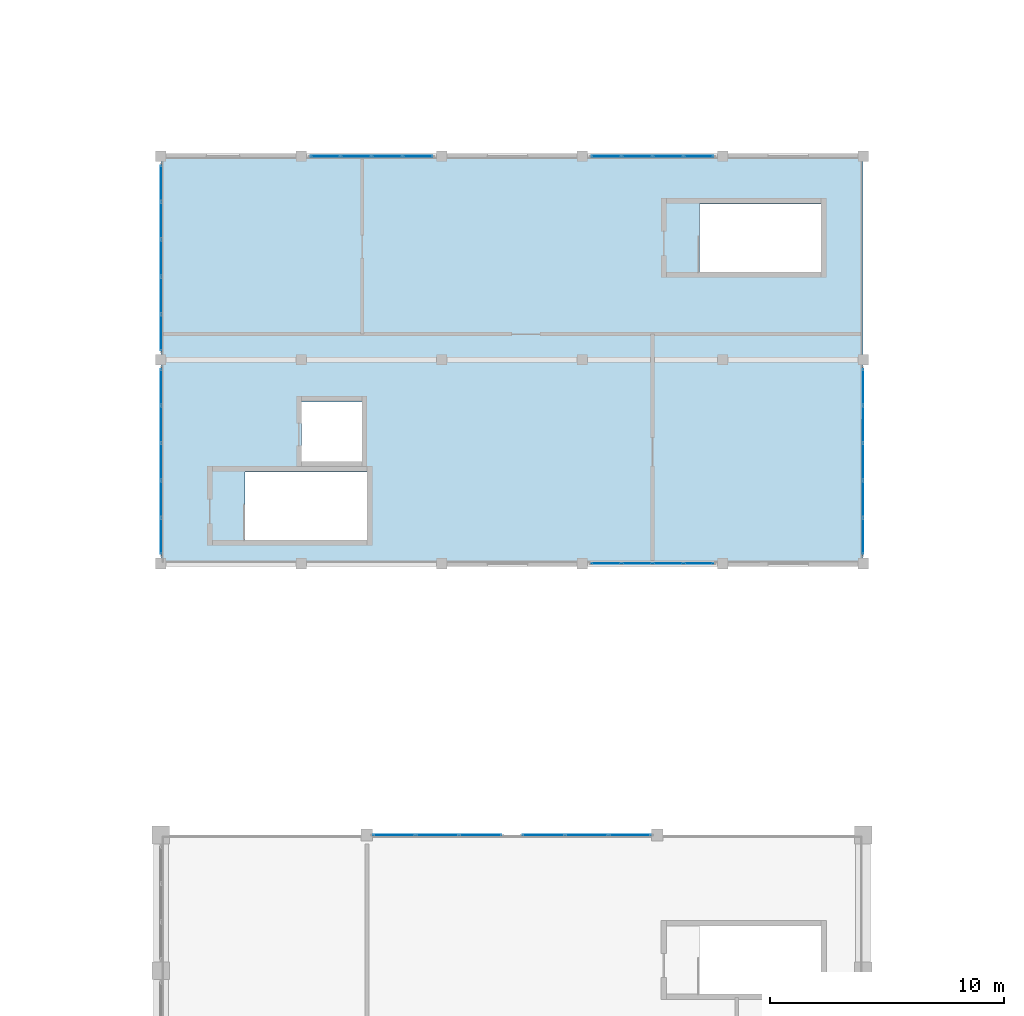
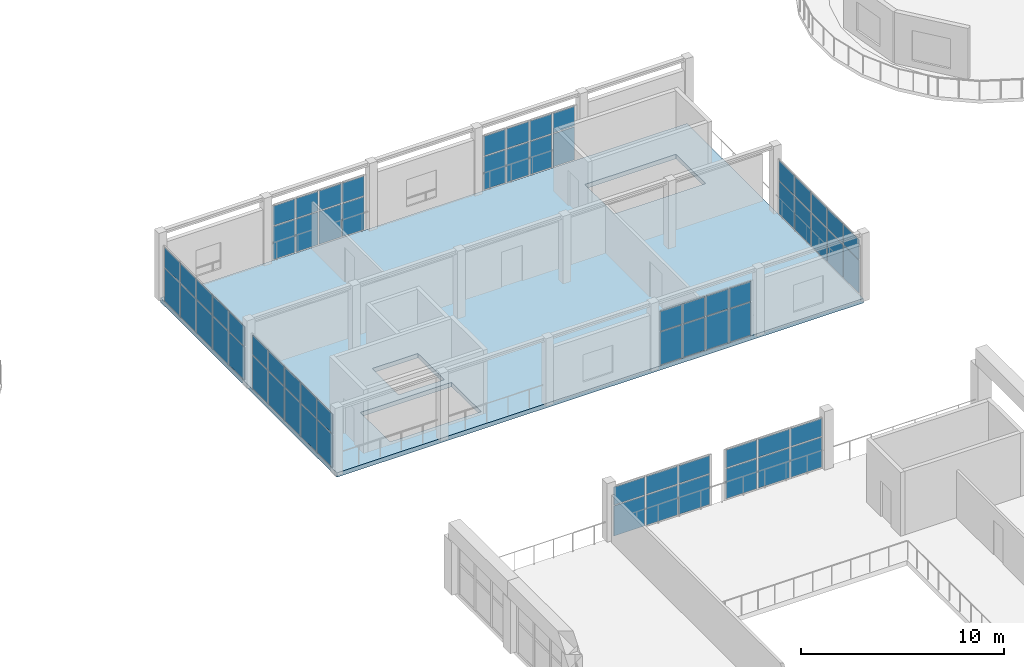
# One storey, part 74 of 128: 66 plates, 1 slab, 8 elements without a shape of their own.
"""IFC4 building model written with IfcOpenShell, lengths in metres."""

from ifc_helpers import new_model, si_unit, direction, frame, origin, origin_2d, place, context, subcontext, project, spatial, polyline, rectangle, outline, extrude, material, layer, layer_set, type_object, element, aggregate, save


model = new_model("IFC4")

# Units and contexts
model_context = context("Model", 3, precision=1e-05, world=origin(), true_north=direction((0.0, 1.0)))
body_context = subcontext(model_context, "Body", "Model", "MODEL_VIEW")
ifc_project = project(units=[si_unit("LENGTHUNIT", "METRE"), si_unit("AREAUNIT", "SQUARE_METRE"), si_unit("VOLUMEUNIT", "CUBIC_METRE"), si_unit("PLANEANGLEUNIT", "RADIAN"), si_unit("MASSUNIT", "GRAM", prefix="KILO")], contexts=[model_context])

# Site, building, storey
site_placement = place(None, origin())
site = spatial("IfcSite", under=ifc_project, at=site_placement, CompositionType="ELEMENT")
building_placement = place(site_placement, origin())
building = spatial("IfcBuilding", under=site, at=building_placement, Name="Tanwirah Colonnade Gardens", CompositionType="ELEMENT")
storey_placement = place(building_placement, frame((0.0, 0.0, 4.760009765625)))
storey = spatial("IfcBuildingStorey", under=building, at=storey_placement, Name="L01", CompositionType="ELEMENT", Elevation=4.760009765625)

# Curtain wall, plates
ifc_material_1 = material(Name="Bronze-anodised aluminium and solar-control low-E glass", Category="aluminium")
curtain_wall_type_1 = type_object("IfcCurtainWallType", Name="CW-HALL", PredefinedType="NOTDEFINED", material=ifc_material_1)
curtain_wall_1_placement = place(storey_placement, origin())
curtain_wall_1 = element("IfcCurtainWall", 1, at=curtain_wall_1_placement, inside=storey, type_object=curtain_wall_type_1, Name="Curtain Wall CW-HALL-L01-N-1", PredefinedType="NOTDEFINED")
ifc_material_2 = material(Name="Solar-control low-E double glazing", Category="glass")
ifc_layer_1 = layer(ifc_material_2, 0.028076171875)
ifc_layer_set_1 = layer_set([ifc_layer_1], Name="Solar-control low-E double glazing")
plate_type = type_object("IfcPlateType", Name="CWP-GLZ28", PredefinedType="CURTAIN_PANEL", material=ifc_layer_set_1)
plate_1_placement = place(storey_placement, frame((87.965087890625, 80.39990234375, 0.06005859375), z_axis=(0.0, 0.0, 1.0), x_axis=(1.0, 0.0, 0.0)))
plate_1 = element("IfcPlate", 2, at=plate_1_placement, type_object=plate_type, Name="CW-HALL panel 1.1", PredefinedType="CURTAIN_PANEL", context=body_context, shape_type="SweptSolid", body=[
    extrude(rectangle(XDim=1.77001953125, YDim=0.028076171875, at=origin_2d()), origin(), (0.0, 0.0, 1.0), 1.80712890625),
])
plate_2_placement = place(storey_placement, frame((87.965087890625, 80.39990234375, 1.92724609375), z_axis=(0.0, 0.0, 1.0), x_axis=(1.0, 0.0, 0.0)))
plate_2 = element("IfcPlate", 3, at=plate_2_placement, type_object=plate_type, Name="CW-HALL panel 1.2", PredefinedType="CURTAIN_PANEL", context=body_context, shape_type="SweptSolid", body=[
    extrude(rectangle(XDim=1.77001953125, YDim=0.028076171875, at=origin_2d()), origin(), (0.0, 0.0, 1.0), 1.07275390625),
])
plate_3_placement = place(storey_placement, frame((89.81005859375, 80.39990234375, 0.06005859375), z_axis=(0.0, 0.0, 1.0), x_axis=(1.0, 0.0, 0.0)))
plate_3 = element("IfcPlate", 4, at=plate_3_placement, type_object=plate_type, Name="CW-HALL panel 2.1", PredefinedType="CURTAIN_PANEL", context=body_context, shape_type="SweptSolid", body=[
    extrude(rectangle(XDim=1.800048828125, YDim=0.028076171875, at=origin_2d()), origin(), (0.0, 0.0, 1.0), 1.80712890625),
])
plate_4_placement = place(storey_placement, frame((89.81005859375, 80.39990234375, 1.92724609375), z_axis=(0.0, 0.0, 1.0), x_axis=(1.0, 0.0, 0.0)))
plate_4 = element("IfcPlate", 5, at=plate_4_placement, type_object=plate_type, Name="CW-HALL panel 2.2", PredefinedType="CURTAIN_PANEL", context=body_context, shape_type="SweptSolid", body=[
    extrude(rectangle(XDim=1.800048828125, YDim=0.028076171875, at=origin_2d()), origin(), (0.0, 0.0, 1.0), 1.07275390625),
])
plate_5_placement = place(storey_placement, frame((91.655029296875, 80.39990234375, 0.06005859375), z_axis=(0.0, 0.0, 1.0), x_axis=(1.0, 0.0, 0.0)))
plate_5 = element("IfcPlate", 6, at=plate_5_placement, type_object=plate_type, Name="CW-HALL panel 3.1", PredefinedType="CURTAIN_PANEL", context=body_context, shape_type="SweptSolid", body=[
    extrude(rectangle(XDim=1.77001953125, YDim=0.028076171875, at=origin_2d()), origin(), (0.0, 0.0, 1.0), 1.80712890625),
])
plate_6_placement = place(storey_placement, frame((91.655029296875, 80.39990234375, 1.92724609375), z_axis=(0.0, 0.0, 1.0), x_axis=(1.0, 0.0, 0.0)))
plate_6 = element("IfcPlate", 7, at=plate_6_placement, type_object=plate_type, Name="CW-HALL panel 3.2", PredefinedType="CURTAIN_PANEL", context=body_context, shape_type="SweptSolid", body=[
    extrude(rectangle(XDim=1.77001953125, YDim=0.028076171875, at=origin_2d()), origin(), (0.0, 0.0, 1.0), 1.07275390625),
])
aggregate(curtain_wall_1, [plate_1, plate_2, plate_3, plate_4, plate_5, plate_6])

curtain_wall_2_placement = place(storey_placement, origin())
curtain_wall_2 = element("IfcCurtainWall", 8, at=curtain_wall_2_placement, inside=storey, type_object=curtain_wall_type_1, Name="Curtain Wall CW-HALL-L01-N-2", PredefinedType="NOTDEFINED")
plate_7_placement = place(storey_placement, frame((94.344970703125, 80.39990234375, 0.06005859375), z_axis=(0.0, 0.0, 1.0), x_axis=(1.0, 0.0, 0.0)))
plate_7 = element("IfcPlate", 9, at=plate_7_placement, type_object=plate_type, Name="CW-HALL panel 1.1", PredefinedType="CURTAIN_PANEL", context=body_context, shape_type="SweptSolid", body=[
    extrude(rectangle(XDim=1.77001953125, YDim=0.028076171875, at=origin_2d()), origin(), (0.0, 0.0, 1.0), 1.80712890625),
])
plate_8_placement = place(storey_placement, frame((94.344970703125, 80.39990234375, 1.92724609375), z_axis=(0.0, 0.0, 1.0), x_axis=(1.0, 0.0, 0.0)))
plate_8 = element("IfcPlate", 10, at=plate_8_placement, type_object=plate_type, Name="CW-HALL panel 1.2", PredefinedType="CURTAIN_PANEL", context=body_context, shape_type="SweptSolid", body=[
    extrude(rectangle(XDim=1.77001953125, YDim=0.028076171875, at=origin_2d()), origin(), (0.0, 0.0, 1.0), 1.07275390625),
])
plate_9_placement = place(storey_placement, frame((96.18994140625, 80.39990234375, 0.06005859375), z_axis=(0.0, 0.0, 1.0), x_axis=(1.0, 0.0, 0.0)))
plate_9 = element("IfcPlate", 11, at=plate_9_placement, type_object=plate_type, Name="CW-HALL panel 2.1", PredefinedType="CURTAIN_PANEL", context=body_context, shape_type="SweptSolid", body=[
    extrude(rectangle(XDim=1.800048828125, YDim=0.028076171875, at=origin_2d()), origin(), (0.0, 0.0, 1.0), 1.80712890625),
])
plate_10_placement = place(storey_placement, frame((96.18994140625, 80.39990234375, 1.92724609375), z_axis=(0.0, 0.0, 1.0), x_axis=(1.0, 0.0, 0.0)))
plate_10 = element("IfcPlate", 12, at=plate_10_placement, type_object=plate_type, Name="CW-HALL panel 2.2", PredefinedType="CURTAIN_PANEL", context=body_context, shape_type="SweptSolid", body=[
    extrude(rectangle(XDim=1.800048828125, YDim=0.028076171875, at=origin_2d()), origin(), (0.0, 0.0, 1.0), 1.07275390625),
])
plate_11_placement = place(storey_placement, frame((98.034912109375, 80.39990234375, 0.06005859375), z_axis=(0.0, 0.0, 1.0), x_axis=(1.0, 0.0, 0.0)))
plate_11 = element("IfcPlate", 13, at=plate_11_placement, type_object=plate_type, Name="CW-HALL panel 3.1", PredefinedType="CURTAIN_PANEL", context=body_context, shape_type="SweptSolid", body=[
    extrude(rectangle(XDim=1.77001953125, YDim=0.028076171875, at=origin_2d()), origin(), (0.0, 0.0, 1.0), 1.80712890625),
])
plate_12_placement = place(storey_placement, frame((98.034912109375, 80.39990234375, 1.92724609375), z_axis=(0.0, 0.0, 1.0), x_axis=(1.0, 0.0, 0.0)))
plate_12 = element("IfcPlate", 14, at=plate_12_placement, type_object=plate_type, Name="CW-HALL panel 3.2", PredefinedType="CURTAIN_PANEL", context=body_context, shape_type="SweptSolid", body=[
    extrude(rectangle(XDim=1.77001953125, YDim=0.028076171875, at=origin_2d()), origin(), (0.0, 0.0, 1.0), 1.07275390625),
])
aggregate(curtain_wall_2, [plate_7, plate_8, plate_9, plate_10, plate_11, plate_12])

curtain_wall_type_2 = type_object("IfcCurtainWallType", Name="CW-NUR", PredefinedType="NOTDEFINED", material=ifc_material_1)
curtain_wall_3_placement = place(storey_placement, origin())
curtain_wall_3 = element("IfcCurtainWall", 15, at=curtain_wall_3_placement, inside=storey, type_object=curtain_wall_type_2, Name="Curtain Wall CW-NUR-L01-S-3", PredefinedType="NOTDEFINED")
plate_13_placement = place(storey_placement, frame((97.027587890625, 92.0, 0.06005859375), z_axis=(0.0, 0.0, 1.0), x_axis=(1.0, 0.0, 0.0)))
plate_13 = element("IfcPlate", 16, at=plate_13_placement, type_object=plate_type, Name="CW-NUR panel 1.1", PredefinedType="CURTAIN_PANEL", context=body_context, shape_type="SweptSolid", body=[
    extrude(rectangle(XDim=1.235107421875, YDim=0.028076171875, at=origin_2d()), origin(), (0.0, 0.0, 1.0), 1.980712890625),
])
plate_14_placement = place(storey_placement, frame((97.027587890625, 92.0, 2.100830078125), z_axis=(0.0, 0.0, 1.0), x_axis=(1.0, 0.0, 0.0)))
plate_14 = element("IfcPlate", 17, at=plate_14_placement, type_object=plate_type, Name="CW-NUR panel 1.2", PredefinedType="CURTAIN_PANEL", context=body_context, shape_type="SweptSolid", body=[
    extrude(rectangle(XDim=1.235107421875, YDim=0.028076171875, at=origin_2d()), origin(), (0.0, 0.0, 1.0), 1.17919921875),
])
plate_15_placement = place(storey_placement, frame((98.33740234375, 92.0, 0.06005859375), z_axis=(0.0, 0.0, 1.0), x_axis=(1.0, 0.0, 0.0)))
plate_15 = element("IfcPlate", 18, at=plate_15_placement, type_object=plate_type, Name="CW-NUR panel 2.1", PredefinedType="CURTAIN_PANEL", context=body_context, shape_type="SweptSolid", body=[
    extrude(rectangle(XDim=1.264892578125, YDim=0.028076171875, at=origin_2d()), origin(), (0.0, 0.0, 1.0), 1.980712890625),
])
plate_16_placement = place(storey_placement, frame((98.33740234375, 92.0, 2.100830078125), z_axis=(0.0, 0.0, 1.0), x_axis=(1.0, 0.0, 0.0)))
plate_16 = element("IfcPlate", 19, at=plate_16_placement, type_object=plate_type, Name="CW-NUR panel 2.2", PredefinedType="CURTAIN_PANEL", context=body_context, shape_type="SweptSolid", body=[
    extrude(rectangle(XDim=1.264892578125, YDim=0.028076171875, at=origin_2d()), origin(), (0.0, 0.0, 1.0), 1.17919921875),
])
plate_17_placement = place(storey_placement, frame((99.66259765625, 92.0, 0.06005859375), z_axis=(0.0, 0.0, 1.0), x_axis=(1.0, 0.0, 0.0)))
plate_17 = element("IfcPlate", 20, at=plate_17_placement, type_object=plate_type, Name="CW-NUR panel 3.1", PredefinedType="CURTAIN_PANEL", context=body_context, shape_type="SweptSolid", body=[
    extrude(rectangle(XDim=1.264892578125, YDim=0.028076171875, at=origin_2d()), origin(), (0.0, 0.0, 1.0), 1.980712890625),
])
plate_18_placement = place(storey_placement, frame((99.66259765625, 92.0, 2.100830078125), z_axis=(0.0, 0.0, 1.0), x_axis=(1.0, 0.0, 0.0)))
plate_18 = element("IfcPlate", 21, at=plate_18_placement, type_object=plate_type, Name="CW-NUR panel 3.2", PredefinedType="CURTAIN_PANEL", context=body_context, shape_type="SweptSolid", body=[
    extrude(rectangle(XDim=1.264892578125, YDim=0.028076171875, at=origin_2d()), origin(), (0.0, 0.0, 1.0), 1.17919921875),
])
plate_19_placement = place(storey_placement, frame((100.972412109375, 92.0, 0.06005859375), z_axis=(0.0, 0.0, 1.0), x_axis=(1.0, 0.0, 0.0)))
plate_19 = element("IfcPlate", 22, at=plate_19_placement, type_object=plate_type, Name="CW-NUR panel 4.1", PredefinedType="CURTAIN_PANEL", context=body_context, shape_type="SweptSolid", body=[
    extrude(rectangle(XDim=1.235107421875, YDim=0.028076171875, at=origin_2d()), origin(), (0.0, 0.0, 1.0), 1.980712890625),
])
plate_20_placement = place(storey_placement, frame((100.972412109375, 92.0, 2.100830078125), z_axis=(0.0, 0.0, 1.0), x_axis=(1.0, 0.0, 0.0)))
plate_20 = element("IfcPlate", 23, at=plate_20_placement, type_object=plate_type, Name="CW-NUR panel 4.2", PredefinedType="CURTAIN_PANEL", context=body_context, shape_type="SweptSolid", body=[
    extrude(rectangle(XDim=1.235107421875, YDim=0.028076171875, at=origin_2d()), origin(), (0.0, 0.0, 1.0), 1.17919921875),
])
aggregate(curtain_wall_3, [plate_13, plate_14, plate_15, plate_16, plate_17, plate_18, plate_19, plate_20])

curtain_wall_4_placement = place(storey_placement, origin())
curtain_wall_4 = element("IfcCurtainWall", 24, at=curtain_wall_4_placement, inside=storey, type_object=curtain_wall_type_2, Name="Curtain Wall CW-NUR-L01-N-1", PredefinedType="NOTDEFINED")
plate_21_placement = place(storey_placement, frame((85.027587890625, 109.39990234375, 0.06005859375), z_axis=(0.0, 0.0, 1.0), x_axis=(1.0, 0.0, 0.0)))
plate_21 = element("IfcPlate", 25, at=plate_21_placement, type_object=plate_type, Name="CW-NUR panel 1.1", PredefinedType="CURTAIN_PANEL", context=body_context, shape_type="SweptSolid", body=[
    extrude(rectangle(XDim=1.235107421875, YDim=0.028076171875, at=origin_2d()), origin(), (0.0, 0.0, 1.0), 1.980712890625),
])
plate_22_placement = place(storey_placement, frame((85.027587890625, 109.39990234375, 2.100830078125), z_axis=(0.0, 0.0, 1.0), x_axis=(1.0, 0.0, 0.0)))
plate_22 = element("IfcPlate", 26, at=plate_22_placement, type_object=plate_type, Name="CW-NUR panel 1.2", PredefinedType="CURTAIN_PANEL", context=body_context, shape_type="SweptSolid", body=[
    extrude(rectangle(XDim=1.235107421875, YDim=0.028076171875, at=origin_2d()), origin(), (0.0, 0.0, 1.0), 1.17919921875),
])
plate_23_placement = place(storey_placement, frame((86.33740234375, 109.39990234375, 0.06005859375), z_axis=(0.0, 0.0, 1.0), x_axis=(1.0, 0.0, 0.0)))
plate_23 = element("IfcPlate", 27, at=plate_23_placement, type_object=plate_type, Name="CW-NUR panel 2.1", PredefinedType="CURTAIN_PANEL", context=body_context, shape_type="SweptSolid", body=[
    extrude(rectangle(XDim=1.264892578125, YDim=0.028076171875, at=origin_2d()), origin(), (0.0, 0.0, 1.0), 1.980712890625),
])
plate_24_placement = place(storey_placement, frame((86.33740234375, 109.39990234375, 2.100830078125), z_axis=(0.0, 0.0, 1.0), x_axis=(1.0, 0.0, 0.0)))
plate_24 = element("IfcPlate", 28, at=plate_24_placement, type_object=plate_type, Name="CW-NUR panel 2.2", PredefinedType="CURTAIN_PANEL", context=body_context, shape_type="SweptSolid", body=[
    extrude(rectangle(XDim=1.264892578125, YDim=0.028076171875, at=origin_2d()), origin(), (0.0, 0.0, 1.0), 1.17919921875),
])
plate_25_placement = place(storey_placement, frame((87.66259765625, 109.39990234375, 0.06005859375), z_axis=(0.0, 0.0, 1.0), x_axis=(1.0, 0.0, 0.0)))
plate_25 = element("IfcPlate", 29, at=plate_25_placement, type_object=plate_type, Name="CW-NUR panel 3.1", PredefinedType="CURTAIN_PANEL", context=body_context, shape_type="SweptSolid", body=[
    extrude(rectangle(XDim=1.264892578125, YDim=0.028076171875, at=origin_2d()), origin(), (0.0, 0.0, 1.0), 1.980712890625),
])
plate_26_placement = place(storey_placement, frame((87.66259765625, 109.39990234375, 2.100830078125), z_axis=(0.0, 0.0, 1.0), x_axis=(1.0, 0.0, 0.0)))
plate_26 = element("IfcPlate", 30, at=plate_26_placement, type_object=plate_type, Name="CW-NUR panel 3.2", PredefinedType="CURTAIN_PANEL", context=body_context, shape_type="SweptSolid", body=[
    extrude(rectangle(XDim=1.264892578125, YDim=0.028076171875, at=origin_2d()), origin(), (0.0, 0.0, 1.0), 1.17919921875),
])
plate_27_placement = place(storey_placement, frame((88.972412109375, 109.39990234375, 0.06005859375), z_axis=(0.0, 0.0, 1.0), x_axis=(1.0, 0.0, 0.0)))
plate_27 = element("IfcPlate", 31, at=plate_27_placement, type_object=plate_type, Name="CW-NUR panel 4.1", PredefinedType="CURTAIN_PANEL", context=body_context, shape_type="SweptSolid", body=[
    extrude(rectangle(XDim=1.235107421875, YDim=0.028076171875, at=origin_2d()), origin(), (0.0, 0.0, 1.0), 1.980712890625),
])
plate_28_placement = place(storey_placement, frame((88.972412109375, 109.39990234375, 2.100830078125), z_axis=(0.0, 0.0, 1.0), x_axis=(1.0, 0.0, 0.0)))
plate_28 = element("IfcPlate", 32, at=plate_28_placement, type_object=plate_type, Name="CW-NUR panel 4.2", PredefinedType="CURTAIN_PANEL", context=body_context, shape_type="SweptSolid", body=[
    extrude(rectangle(XDim=1.235107421875, YDim=0.028076171875, at=origin_2d()), origin(), (0.0, 0.0, 1.0), 1.17919921875),
])
aggregate(curtain_wall_4, [plate_21, plate_22, plate_23, plate_24, plate_25, plate_26, plate_27, plate_28])

curtain_wall_5_placement = place(storey_placement, origin())
curtain_wall_5 = element("IfcCurtainWall", 33, at=curtain_wall_5_placement, inside=storey, type_object=curtain_wall_type_2, Name="Curtain Wall CW-NUR-L01-N-3", PredefinedType="NOTDEFINED")
plate_29_placement = place(storey_placement, frame((97.027587890625, 109.39990234375, 0.06005859375), z_axis=(0.0, 0.0, 1.0), x_axis=(1.0, 0.0, 0.0)))
plate_29 = element("IfcPlate", 34, at=plate_29_placement, type_object=plate_type, Name="CW-NUR panel 1.1", PredefinedType="CURTAIN_PANEL", context=body_context, shape_type="SweptSolid", body=[
    extrude(rectangle(XDim=1.235107421875, YDim=0.028076171875, at=origin_2d()), origin(), (0.0, 0.0, 1.0), 1.980712890625),
])
plate_30_placement = place(storey_placement, frame((97.027587890625, 109.39990234375, 2.100830078125), z_axis=(0.0, 0.0, 1.0), x_axis=(1.0, 0.0, 0.0)))
plate_30 = element("IfcPlate", 35, at=plate_30_placement, type_object=plate_type, Name="CW-NUR panel 1.2", PredefinedType="CURTAIN_PANEL", context=body_context, shape_type="SweptSolid", body=[
    extrude(rectangle(XDim=1.235107421875, YDim=0.028076171875, at=origin_2d()), origin(), (0.0, 0.0, 1.0), 1.17919921875),
])
plate_31_placement = place(storey_placement, frame((98.33740234375, 109.39990234375, 0.06005859375), z_axis=(0.0, 0.0, 1.0), x_axis=(1.0, 0.0, 0.0)))
plate_31 = element("IfcPlate", 36, at=plate_31_placement, type_object=plate_type, Name="CW-NUR panel 2.1", PredefinedType="CURTAIN_PANEL", context=body_context, shape_type="SweptSolid", body=[
    extrude(rectangle(XDim=1.264892578125, YDim=0.028076171875, at=origin_2d()), origin(), (0.0, 0.0, 1.0), 1.980712890625),
])
plate_32_placement = place(storey_placement, frame((98.33740234375, 109.39990234375, 2.100830078125), z_axis=(0.0, 0.0, 1.0), x_axis=(1.0, 0.0, 0.0)))
plate_32 = element("IfcPlate", 37, at=plate_32_placement, type_object=plate_type, Name="CW-NUR panel 2.2", PredefinedType="CURTAIN_PANEL", context=body_context, shape_type="SweptSolid", body=[
    extrude(rectangle(XDim=1.264892578125, YDim=0.028076171875, at=origin_2d()), origin(), (0.0, 0.0, 1.0), 1.17919921875),
])
plate_33_placement = place(storey_placement, frame((99.66259765625, 109.39990234375, 0.06005859375), z_axis=(0.0, 0.0, 1.0), x_axis=(1.0, 0.0, 0.0)))
plate_33 = element("IfcPlate", 38, at=plate_33_placement, type_object=plate_type, Name="CW-NUR panel 3.1", PredefinedType="CURTAIN_PANEL", context=body_context, shape_type="SweptSolid", body=[
    extrude(rectangle(XDim=1.264892578125, YDim=0.028076171875, at=origin_2d()), origin(), (0.0, 0.0, 1.0), 1.980712890625),
])
plate_34_placement = place(storey_placement, frame((99.66259765625, 109.39990234375, 2.100830078125), z_axis=(0.0, 0.0, 1.0), x_axis=(1.0, 0.0, 0.0)))
plate_34 = element("IfcPlate", 39, at=plate_34_placement, type_object=plate_type, Name="CW-NUR panel 3.2", PredefinedType="CURTAIN_PANEL", context=body_context, shape_type="SweptSolid", body=[
    extrude(rectangle(XDim=1.264892578125, YDim=0.028076171875, at=origin_2d()), origin(), (0.0, 0.0, 1.0), 1.17919921875),
])
plate_35_placement = place(storey_placement, frame((100.972412109375, 109.39990234375, 0.06005859375), z_axis=(0.0, 0.0, 1.0), x_axis=(1.0, 0.0, 0.0)))
plate_35 = element("IfcPlate", 40, at=plate_35_placement, type_object=plate_type, Name="CW-NUR panel 4.1", PredefinedType="CURTAIN_PANEL", context=body_context, shape_type="SweptSolid", body=[
    extrude(rectangle(XDim=1.235107421875, YDim=0.028076171875, at=origin_2d()), origin(), (0.0, 0.0, 1.0), 1.980712890625),
])
plate_36_placement = place(storey_placement, frame((100.972412109375, 109.39990234375, 2.100830078125), z_axis=(0.0, 0.0, 1.0), x_axis=(1.0, 0.0, 0.0)))
plate_36 = element("IfcPlate", 41, at=plate_36_placement, type_object=plate_type, Name="CW-NUR panel 4.2", PredefinedType="CURTAIN_PANEL", context=body_context, shape_type="SweptSolid", body=[
    extrude(rectangle(XDim=1.235107421875, YDim=0.028076171875, at=origin_2d()), origin(), (0.0, 0.0, 1.0), 1.17919921875),
])
aggregate(curtain_wall_5, [plate_29, plate_30, plate_31, plate_32, plate_33, plate_34, plate_35, plate_36])

curtain_wall_6_placement = place(storey_placement, origin())
curtain_wall_6 = element("IfcCurtainWall", 42, at=curtain_wall_6_placement, inside=storey, type_object=curtain_wall_type_2, Name="Curtain Wall CW-NUR-L01-W-1", PredefinedType="NOTDEFINED")
plate_37_placement = place(storey_placement, frame((78.0, 93.1650390625, 0.06005859375), z_axis=(0.0, 0.0, 1.0), x_axis=(0.0, 1.0, 0.0)))
plate_37 = element("IfcPlate", 43, at=plate_37_placement, type_object=plate_type, Name="CW-NUR panel 1.1", PredefinedType="CURTAIN_PANEL", context=body_context, shape_type="SweptSolid", body=[
    extrude(rectangle(XDim=1.510009765625, YDim=0.028076171875, at=origin_2d()), origin(), (0.0, 0.0, 1.0), 1.980712890625),
])
plate_38_placement = place(storey_placement, frame((78.0, 93.1650390625, 2.100830078125), z_axis=(0.0, 0.0, 1.0), x_axis=(0.0, 1.0, 0.0)))
plate_38 = element("IfcPlate", 44, at=plate_38_placement, type_object=plate_type, Name="CW-NUR panel 1.2", PredefinedType="CURTAIN_PANEL", context=body_context, shape_type="SweptSolid", body=[
    extrude(rectangle(XDim=1.510009765625, YDim=0.028076171875, at=origin_2d()), origin(), (0.0, 0.0, 1.0), 1.17919921875),
])
plate_39_placement = place(storey_placement, frame((78.0, 94.75, 0.06005859375), z_axis=(0.0, 0.0, 1.0), x_axis=(0.0, 1.0, 0.0)))
plate_39 = element("IfcPlate", 45, at=plate_39_placement, type_object=plate_type, Name="CW-NUR panel 2.1", PredefinedType="CURTAIN_PANEL", context=body_context, shape_type="SweptSolid", body=[
    extrude(rectangle(XDim=1.5400390625, YDim=0.028076171875, at=origin_2d()), origin(), (0.0, 0.0, 1.0), 1.980712890625),
])
plate_40_placement = place(storey_placement, frame((78.0, 94.75, 2.100830078125), z_axis=(0.0, 0.0, 1.0), x_axis=(0.0, 1.0, 0.0)))
plate_40 = element("IfcPlate", 46, at=plate_40_placement, type_object=plate_type, Name="CW-NUR panel 2.2", PredefinedType="CURTAIN_PANEL", context=body_context, shape_type="SweptSolid", body=[
    extrude(rectangle(XDim=1.5400390625, YDim=0.028076171875, at=origin_2d()), origin(), (0.0, 0.0, 1.0), 1.17919921875),
])
plate_41_placement = place(storey_placement, frame((78.0, 96.35009765625, 0.06005859375), z_axis=(0.0, 0.0, 1.0), x_axis=(0.0, 1.0, 0.0)))
plate_41 = element("IfcPlate", 47, at=plate_41_placement, type_object=plate_type, Name="CW-NUR panel 3.1", PredefinedType="CURTAIN_PANEL", context=body_context, shape_type="SweptSolid", body=[
    extrude(rectangle(XDim=1.5400390625, YDim=0.028076171875, at=origin_2d()), origin(), (0.0, 0.0, 1.0), 1.980712890625),
])
plate_42_placement = place(storey_placement, frame((78.0, 96.35009765625, 2.100830078125), z_axis=(0.0, 0.0, 1.0), x_axis=(0.0, 1.0, 0.0)))
plate_42 = element("IfcPlate", 48, at=plate_42_placement, type_object=plate_type, Name="CW-NUR panel 3.2", PredefinedType="CURTAIN_PANEL", context=body_context, shape_type="SweptSolid", body=[
    extrude(rectangle(XDim=1.5400390625, YDim=0.028076171875, at=origin_2d()), origin(), (0.0, 0.0, 1.0), 1.17919921875),
])
plate_43_placement = place(storey_placement, frame((78.0, 97.949951171875, 0.06005859375), z_axis=(0.0, 0.0, 1.0), x_axis=(0.0, 1.0, 0.0)))
plate_43 = element("IfcPlate", 49, at=plate_43_placement, type_object=plate_type, Name="CW-NUR panel 4.1", PredefinedType="CURTAIN_PANEL", context=body_context, shape_type="SweptSolid", body=[
    extrude(rectangle(XDim=1.5400390625, YDim=0.028076171875, at=origin_2d()), origin(), (0.0, 0.0, 1.0), 1.980712890625),
])
plate_44_placement = place(storey_placement, frame((78.0, 97.949951171875, 2.100830078125), z_axis=(0.0, 0.0, 1.0), x_axis=(0.0, 1.0, 0.0)))
plate_44 = element("IfcPlate", 50, at=plate_44_placement, type_object=plate_type, Name="CW-NUR panel 4.2", PredefinedType="CURTAIN_PANEL", context=body_context, shape_type="SweptSolid", body=[
    extrude(rectangle(XDim=1.5400390625, YDim=0.028076171875, at=origin_2d()), origin(), (0.0, 0.0, 1.0), 1.17919921875),
])
plate_45_placement = place(storey_placement, frame((78.0, 99.534912109375, 0.06005859375), z_axis=(0.0, 0.0, 1.0), x_axis=(0.0, 1.0, 0.0)))
plate_45 = element("IfcPlate", 51, at=plate_45_placement, type_object=plate_type, Name="CW-NUR panel 5.1", PredefinedType="CURTAIN_PANEL", context=body_context, shape_type="SweptSolid", body=[
    extrude(rectangle(XDim=1.510009765625, YDim=0.028076171875, at=origin_2d()), origin(), (0.0, 0.0, 1.0), 1.980712890625),
])
plate_46_placement = place(storey_placement, frame((78.0, 99.534912109375, 2.100830078125), z_axis=(0.0, 0.0, 1.0), x_axis=(0.0, 1.0, 0.0)))
plate_46 = element("IfcPlate", 52, at=plate_46_placement, type_object=plate_type, Name="CW-NUR panel 5.2", PredefinedType="CURTAIN_PANEL", context=body_context, shape_type="SweptSolid", body=[
    extrude(rectangle(XDim=1.510009765625, YDim=0.028076171875, at=origin_2d()), origin(), (0.0, 0.0, 1.0), 1.17919921875),
])
aggregate(curtain_wall_6, [plate_37, plate_38, plate_39, plate_40, plate_41, plate_42, plate_43, plate_44, plate_45, plate_46])

curtain_wall_7_placement = place(storey_placement, origin())
curtain_wall_7 = element("IfcCurtainWall", 53, at=curtain_wall_7_placement, inside=storey, type_object=curtain_wall_type_2, Name="Curtain Wall CW-NUR-L01-W-2", PredefinedType="NOTDEFINED")
plate_47_placement = place(storey_placement, frame((78.0, 101.864990234375, 0.06005859375), z_axis=(0.0, 0.0, 1.0), x_axis=(0.0, 1.0, 0.0)))
plate_47 = element("IfcPlate", 54, at=plate_47_placement, type_object=plate_type, Name="CW-NUR panel 1.1", PredefinedType="CURTAIN_PANEL", context=body_context, shape_type="SweptSolid", body=[
    extrude(rectangle(XDim=1.510009765625, YDim=0.028076171875, at=origin_2d()), origin(), (0.0, 0.0, 1.0), 1.980712890625),
])
plate_48_placement = place(storey_placement, frame((78.0, 101.864990234375, 2.100830078125), z_axis=(0.0, 0.0, 1.0), x_axis=(0.0, 1.0, 0.0)))
plate_48 = element("IfcPlate", 55, at=plate_48_placement, type_object=plate_type, Name="CW-NUR panel 1.2", PredefinedType="CURTAIN_PANEL", context=body_context, shape_type="SweptSolid", body=[
    extrude(rectangle(XDim=1.510009765625, YDim=0.028076171875, at=origin_2d()), origin(), (0.0, 0.0, 1.0), 1.17919921875),
])
plate_49_placement = place(storey_placement, frame((78.0, 103.449951171875, 0.06005859375), z_axis=(0.0, 0.0, 1.0), x_axis=(0.0, 1.0, 0.0)))
plate_49 = element("IfcPlate", 56, at=plate_49_placement, type_object=plate_type, Name="CW-NUR panel 2.1", PredefinedType="CURTAIN_PANEL", context=body_context, shape_type="SweptSolid", body=[
    extrude(rectangle(XDim=1.5400390625, YDim=0.028076171875, at=origin_2d()), origin(), (0.0, 0.0, 1.0), 1.980712890625),
])
plate_50_placement = place(storey_placement, frame((78.0, 103.449951171875, 2.100830078125), z_axis=(0.0, 0.0, 1.0), x_axis=(0.0, 1.0, 0.0)))
plate_50 = element("IfcPlate", 57, at=plate_50_placement, type_object=plate_type, Name="CW-NUR panel 2.2", PredefinedType="CURTAIN_PANEL", context=body_context, shape_type="SweptSolid", body=[
    extrude(rectangle(XDim=1.5400390625, YDim=0.028076171875, at=origin_2d()), origin(), (0.0, 0.0, 1.0), 1.17919921875),
])
plate_51_placement = place(storey_placement, frame((78.0, 105.050048828125, 0.06005859375), z_axis=(0.0, 0.0, 1.0), x_axis=(0.0, 1.0, 0.0)))
plate_51 = element("IfcPlate", 58, at=plate_51_placement, type_object=plate_type, Name="CW-NUR panel 3.1", PredefinedType="CURTAIN_PANEL", context=body_context, shape_type="SweptSolid", body=[
    extrude(rectangle(XDim=1.5400390625, YDim=0.028076171875, at=origin_2d()), origin(), (0.0, 0.0, 1.0), 1.980712890625),
])
plate_52_placement = place(storey_placement, frame((78.0, 105.050048828125, 2.100830078125), z_axis=(0.0, 0.0, 1.0), x_axis=(0.0, 1.0, 0.0)))
plate_52 = element("IfcPlate", 59, at=plate_52_placement, type_object=plate_type, Name="CW-NUR panel 3.2", PredefinedType="CURTAIN_PANEL", context=body_context, shape_type="SweptSolid", body=[
    extrude(rectangle(XDim=1.5400390625, YDim=0.028076171875, at=origin_2d()), origin(), (0.0, 0.0, 1.0), 1.17919921875),
])
plate_53_placement = place(storey_placement, frame((78.0, 106.64990234375, 0.06005859375), z_axis=(0.0, 0.0, 1.0), x_axis=(0.0, 1.0, 0.0)))
plate_53 = element("IfcPlate", 60, at=plate_53_placement, type_object=plate_type, Name="CW-NUR panel 4.1", PredefinedType="CURTAIN_PANEL", context=body_context, shape_type="SweptSolid", body=[
    extrude(rectangle(XDim=1.5400390625, YDim=0.028076171875, at=origin_2d()), origin(), (0.0, 0.0, 1.0), 1.980712890625),
])
plate_54_placement = place(storey_placement, frame((78.0, 106.64990234375, 2.100830078125), z_axis=(0.0, 0.0, 1.0), x_axis=(0.0, 1.0, 0.0)))
plate_54 = element("IfcPlate", 61, at=plate_54_placement, type_object=plate_type, Name="CW-NUR panel 4.2", PredefinedType="CURTAIN_PANEL", context=body_context, shape_type="SweptSolid", body=[
    extrude(rectangle(XDim=1.5400390625, YDim=0.028076171875, at=origin_2d()), origin(), (0.0, 0.0, 1.0), 1.17919921875),
])
plate_55_placement = place(storey_placement, frame((78.0, 108.235107421875, 0.06005859375), z_axis=(0.0, 0.0, 1.0), x_axis=(0.0, 1.0, 0.0)))
plate_55 = element("IfcPlate", 62, at=plate_55_placement, type_object=plate_type, Name="CW-NUR panel 5.1", PredefinedType="CURTAIN_PANEL", context=body_context, shape_type="SweptSolid", body=[
    extrude(rectangle(XDim=1.510009765625, YDim=0.028076171875, at=origin_2d()), origin(), (0.0, 0.0, 1.0), 1.980712890625),
])
plate_56_placement = place(storey_placement, frame((78.0, 108.235107421875, 2.100830078125), z_axis=(0.0, 0.0, 1.0), x_axis=(0.0, 1.0, 0.0)))
plate_56 = element("IfcPlate", 63, at=plate_56_placement, type_object=plate_type, Name="CW-NUR panel 5.2", PredefinedType="CURTAIN_PANEL", context=body_context, shape_type="SweptSolid", body=[
    extrude(rectangle(XDim=1.510009765625, YDim=0.028076171875, at=origin_2d()), origin(), (0.0, 0.0, 1.0), 1.17919921875),
])
aggregate(curtain_wall_7, [plate_47, plate_48, plate_49, plate_50, plate_51, plate_52, plate_53, plate_54, plate_55, plate_56])

curtain_wall_8_placement = place(storey_placement, origin())
curtain_wall_8 = element("IfcCurtainWall", 64, at=curtain_wall_8_placement, inside=storey, type_object=curtain_wall_type_2, Name="Curtain Wall CW-NUR-L01-E-1", PredefinedType="NOTDEFINED")
plate_57_placement = place(storey_placement, frame((108.0, 93.1650390625, 0.06005859375), z_axis=(0.0, 0.0, 1.0), x_axis=(0.0, 1.0, 0.0)))
plate_57 = element("IfcPlate", 65, at=plate_57_placement, type_object=plate_type, Name="CW-NUR panel 1.1", PredefinedType="CURTAIN_PANEL", context=body_context, shape_type="SweptSolid", body=[
    extrude(rectangle(XDim=1.510009765625, YDim=0.028076171875, at=origin_2d()), origin(), (0.0, 0.0, 1.0), 1.980712890625),
])
plate_58_placement = place(storey_placement, frame((108.0, 93.1650390625, 2.100830078125), z_axis=(0.0, 0.0, 1.0), x_axis=(0.0, 1.0, 0.0)))
plate_58 = element("IfcPlate", 66, at=plate_58_placement, type_object=plate_type, Name="CW-NUR panel 1.2", PredefinedType="CURTAIN_PANEL", context=body_context, shape_type="SweptSolid", body=[
    extrude(rectangle(XDim=1.510009765625, YDim=0.028076171875, at=origin_2d()), origin(), (0.0, 0.0, 1.0), 1.17919921875),
])
plate_59_placement = place(storey_placement, frame((108.0, 94.75, 0.06005859375), z_axis=(0.0, 0.0, 1.0), x_axis=(0.0, 1.0, 0.0)))
plate_59 = element("IfcPlate", 67, at=plate_59_placement, type_object=plate_type, Name="CW-NUR panel 2.1", PredefinedType="CURTAIN_PANEL", context=body_context, shape_type="SweptSolid", body=[
    extrude(rectangle(XDim=1.5400390625, YDim=0.028076171875, at=origin_2d()), origin(), (0.0, 0.0, 1.0), 1.980712890625),
])
plate_60_placement = place(storey_placement, frame((108.0, 94.75, 2.100830078125), z_axis=(0.0, 0.0, 1.0), x_axis=(0.0, 1.0, 0.0)))
plate_60 = element("IfcPlate", 68, at=plate_60_placement, type_object=plate_type, Name="CW-NUR panel 2.2", PredefinedType="CURTAIN_PANEL", context=body_context, shape_type="SweptSolid", body=[
    extrude(rectangle(XDim=1.5400390625, YDim=0.028076171875, at=origin_2d()), origin(), (0.0, 0.0, 1.0), 1.17919921875),
])
plate_61_placement = place(storey_placement, frame((108.0, 96.35009765625, 0.06005859375), z_axis=(0.0, 0.0, 1.0), x_axis=(0.0, 1.0, 0.0)))
plate_61 = element("IfcPlate", 69, at=plate_61_placement, type_object=plate_type, Name="CW-NUR panel 3.1", PredefinedType="CURTAIN_PANEL", context=body_context, shape_type="SweptSolid", body=[
    extrude(rectangle(XDim=1.5400390625, YDim=0.028076171875, at=origin_2d()), origin(), (0.0, 0.0, 1.0), 1.980712890625),
])
plate_62_placement = place(storey_placement, frame((108.0, 96.35009765625, 2.100830078125), z_axis=(0.0, 0.0, 1.0), x_axis=(0.0, 1.0, 0.0)))
plate_62 = element("IfcPlate", 70, at=plate_62_placement, type_object=plate_type, Name="CW-NUR panel 3.2", PredefinedType="CURTAIN_PANEL", context=body_context, shape_type="SweptSolid", body=[
    extrude(rectangle(XDim=1.5400390625, YDim=0.028076171875, at=origin_2d()), origin(), (0.0, 0.0, 1.0), 1.17919921875),
])
plate_63_placement = place(storey_placement, frame((108.0, 97.949951171875, 0.06005859375), z_axis=(0.0, 0.0, 1.0), x_axis=(0.0, 1.0, 0.0)))
plate_63 = element("IfcPlate", 71, at=plate_63_placement, type_object=plate_type, Name="CW-NUR panel 4.1", PredefinedType="CURTAIN_PANEL", context=body_context, shape_type="SweptSolid", body=[
    extrude(rectangle(XDim=1.5400390625, YDim=0.028076171875, at=origin_2d()), origin(), (0.0, 0.0, 1.0), 1.980712890625),
])
plate_64_placement = place(storey_placement, frame((108.0, 97.949951171875, 2.100830078125), z_axis=(0.0, 0.0, 1.0), x_axis=(0.0, 1.0, 0.0)))
plate_64 = element("IfcPlate", 72, at=plate_64_placement, type_object=plate_type, Name="CW-NUR panel 4.2", PredefinedType="CURTAIN_PANEL", context=body_context, shape_type="SweptSolid", body=[
    extrude(rectangle(XDim=1.5400390625, YDim=0.028076171875, at=origin_2d()), origin(), (0.0, 0.0, 1.0), 1.17919921875),
])
plate_65_placement = place(storey_placement, frame((108.0, 99.534912109375, 0.06005859375), z_axis=(0.0, 0.0, 1.0), x_axis=(0.0, 1.0, 0.0)))
plate_65 = element("IfcPlate", 73, at=plate_65_placement, type_object=plate_type, Name="CW-NUR panel 5.1", PredefinedType="CURTAIN_PANEL", context=body_context, shape_type="SweptSolid", body=[
    extrude(rectangle(XDim=1.510009765625, YDim=0.028076171875, at=origin_2d()), origin(), (0.0, 0.0, 1.0), 1.980712890625),
])
plate_66_placement = place(storey_placement, frame((108.0, 99.534912109375, 2.100830078125), z_axis=(0.0, 0.0, 1.0), x_axis=(0.0, 1.0, 0.0)))
plate_66 = element("IfcPlate", 74, at=plate_66_placement, type_object=plate_type, Name="CW-NUR panel 5.2", PredefinedType="CURTAIN_PANEL", context=body_context, shape_type="SweptSolid", body=[
    extrude(rectangle(XDim=1.510009765625, YDim=0.028076171875, at=origin_2d()), origin(), (0.0, 0.0, 1.0), 1.17919921875),
])
aggregate(curtain_wall_8, [plate_57, plate_58, plate_59, plate_60, plate_61, plate_62, plate_63, plate_64, plate_65, plate_66])

# Slab
ifc_material_3 = material(Name="Precast concrete C40/50", Category="concrete")
ifc_layer_2 = layer(ifc_material_3, 0.264892578125)
ifc_layer_set_2 = layer_set([ifc_layer_2], Name="Precast concrete C40/50")
slab_type = type_object("IfcSlabType", Name="SL-NUR-265", PredefinedType="FLOOR", material=ifc_layer_set_2)
slab_placement = place(storey_placement, frame((0.0, 0.0, -0.264892578125)))
element("IfcSlab", 75, at=slab_placement, inside=storey, type_object=slab_type, Name="Nursery Pavilion L01 Floor Slab", PredefinedType="FLOOR", context=body_context, shape_type="SweptSolid", body=[
    extrude(outline(polyline([(78.0, 109.39990234375), (78.0, 92.0), (108.0, 92.0), (108.0, 109.39990234375), (78.0, 109.39990234375)]), holes=[polyline([(86.800048828125, 95.9169921875), (86.800048828125, 93.0029296875), (81.60302734375, 93.0029296875), (81.60302734375, 95.9169921875), (86.800048828125, 95.9169921875)]), polyline([(86.60009765625, 96.300048828125), (84.0, 96.300048828125), (84.0, 98.89990234375), (86.60009765625, 98.89990234375), (86.60009765625, 96.300048828125)]), polyline([(101.0029296875, 104.452880859375), (101.0029296875, 107.366943359375), (106.199951171875, 107.366943359375), (106.199951171875, 104.452880859375), (101.0029296875, 104.452880859375)])]), origin(), (0.0, 0.0, 1.0), 0.264892578125),
])

save(model, "model.ifc")
